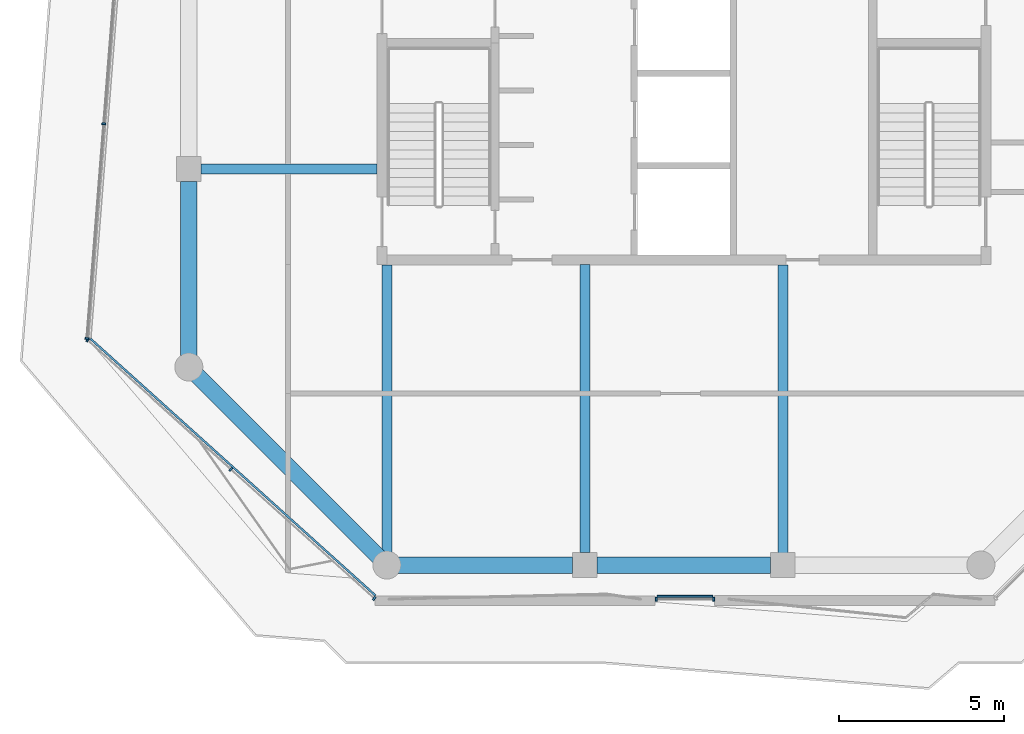
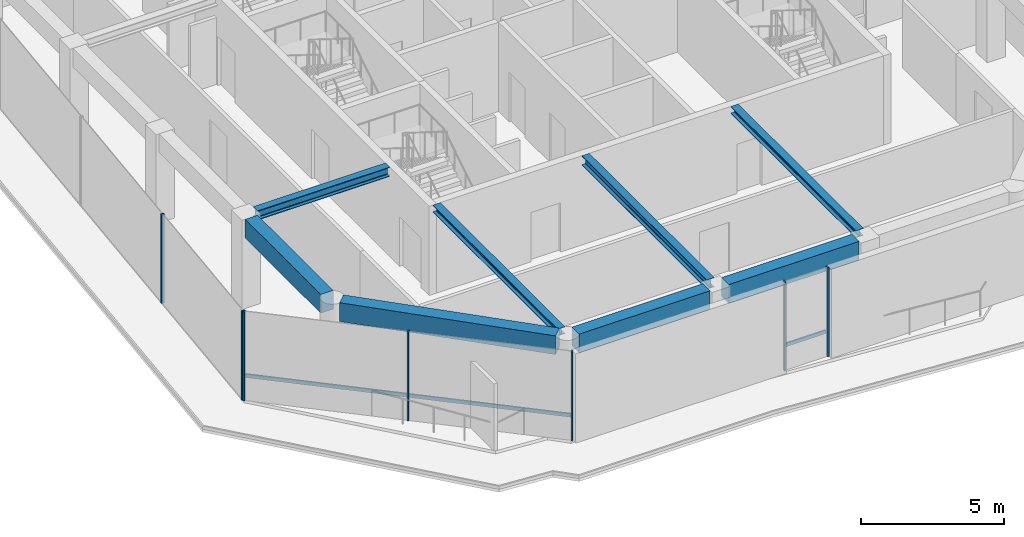
# One storey, part 2 of 22: 9 members, 8 beams, 3 elements without a shape of their own.
"""IFC4 building model written with IfcOpenShell, lengths in metres."""

from ifc_helpers import new_model, si_unit, direction, frame, origin, origin_2d, place, context, subcontext, project, spatial, rectangle, i_section, extrude, material, layer, layer_set, material_profile, profile_set, type_object, element, aggregate, save


model = new_model("IFC4")

# Units and contexts
model_context = context("Model", 3, precision=1e-05, world=origin(), true_north=direction((0.0, 1.0)))
body_context = subcontext(model_context, "Body", "Model", "MODEL_VIEW")
ifc_project = project(units=[si_unit("LENGTHUNIT", "METRE"), si_unit("AREAUNIT", "SQUARE_METRE"), si_unit("VOLUMEUNIT", "CUBIC_METRE"), si_unit("PLANEANGLEUNIT", "RADIAN"), si_unit("MASSUNIT", "GRAM", prefix="KILO")], contexts=[model_context])

# Site, building, storey
site_placement = place(None, origin())
site = spatial("IfcSite", under=ifc_project, at=site_placement, CompositionType="ELEMENT")
building_placement = place(site_placement, origin())
building = spatial("IfcBuilding", under=site, at=building_placement, Name="Welwitschia Terrace Campus", CompositionType="ELEMENT")
storey_placement = place(building_placement, frame((0.0, 0.0, 268.39990234375)))
storey = spatial("IfcBuildingStorey", under=building, at=storey_placement, Name="L59", CompositionType="ELEMENT", Elevation=268.39990234375)

# Beams
ifc_material_1 = material(Name="Steel S355", Category="steel")
ifc_material_profile_1 = material_profile(ifc_material_1, i_section(OverallWidth=0.300048828125, OverallDepth=0.300048828125, WebThickness=0.010986328125, FlangeThickness=0.01904296875, FilletRadius=0.027099609375, at=origin_2d()))
ifc_profile_set_1 = profile_set([ifc_material_profile_1], Name="Steel S355")
beam_type_1 = type_object("IfcBeamType", Name="Interior girder HE 300 B", PredefinedType="BEAM", material=ifc_profile_set_1)
beam_1_placement = place(storey_placement, frame((6.0, -3.611572265625, 3.650146484375), z_axis=(0.0, 1.0, 0.0), x_axis=(-1.0, 0.0, 0.0)))
element("IfcBeam", 1, at=beam_1_placement, inside=storey, type_object=beam_type_1, Name="Girder GB6", PredefinedType="BEAM", context=body_context, shape_type="SweptSolid", body=[
    extrude(i_section(OverallWidth=0.300048828125, OverallDepth=0.300048828125, WebThickness=0.010986328125, FlangeThickness=0.01904296875, FilletRadius=0.027099609375, at=origin_2d()), origin(), (0.0, 0.0, 1.0), 8.710693359375),
])
beam_2_placement = place(storey_placement, frame((18.0, -3.634521484375, 3.650146484375), z_axis=(0.0, 1.0, 0.0), x_axis=(-1.0, 0.0, 0.0)))
element("IfcBeam", 2, at=beam_2_placement, inside=storey, type_object=beam_type_1, Name="Girder GB6", PredefinedType="BEAM", context=body_context, shape_type="SweptSolid", body=[
    extrude(i_section(OverallWidth=0.300048828125, OverallDepth=0.300048828125, WebThickness=0.010986328125, FlangeThickness=0.01904296875, FilletRadius=0.027099609375, at=origin_2d()), origin(), (0.0, 0.0, 1.0), 8.733642578125),
])

# Curtain wall, members
ifc_material_2 = material(Name="Bronze anodised aluminium", Category="aluminium")
ifc_layer = layer(ifc_material_2, 0.1201171875)
ifc_layer_set = layer_set([ifc_layer], Name="Bronze anodised aluminium")
curtain_wall_type = type_object("IfcCurtainWallType", Name="Curtain wall CW2 tower 6000", PredefinedType="NOTDEFINED", material=ifc_layer_set)
curtain_wall_1_placement = place(storey_placement, origin())
curtain_wall_1 = element("IfcCurtainWall", 3, at=curtain_wall_1_placement, inside=storey, type_object=curtain_wall_type, Name="CW L59.1.0", PredefinedType="NOTDEFINED")
ifc_material_3 = material(Name="Bronze anodised aluminium", Category="aluminium")
ifc_material_profile_2 = material_profile(ifc_material_3, rectangle(XDim=0.1201171875, YDim=0.06005859375, at=origin_2d()))
ifc_profile_set_2 = profile_set([ifc_material_profile_2], Name="Bronze anodised aluminium")
member_type_1 = type_object("IfcMemberType", Name="Mullion 60x120", PredefinedType="MULLION", material=ifc_profile_set_2)
member_1_placement = place(storey_placement, frame((-2.5732421875, 9.369140625, 0.0), z_axis=(0.0, 0.0, 1.0), x_axis=(0.996917333733, -0.078459095728, 0.0)))
member_1 = element("IfcMember", 4, at=member_1_placement, type_object=member_type_1, Name="Mullion L59.1.0.3", PredefinedType="MULLION", context=body_context, shape_type="SweptSolid", body=[
    extrude(rectangle(XDim=0.1201171875, YDim=0.06005859375, at=origin_2d()), origin(), (0.0, 0.0, 1.0), 3.800048828125),
])
member_2_placement = place(storey_placement, frame((-3.085205078125, 2.863037109375, 0.0), z_axis=(0.0, 0.0, 1.0), x_axis=(0.996917333733, -0.078459095728, 0.0)))
member_2 = element("IfcMember", 5, at=member_2_placement, type_object=member_type_1, Name="Mullion L59.1.0.4", PredefinedType="MULLION", context=body_context, shape_type="SweptSolid", body=[
    extrude(rectangle(XDim=0.1201171875, YDim=0.06005859375, at=origin_2d()), origin(), (0.0, 0.0, 1.0), 3.800048828125),
])
aggregate(curtain_wall_1, [member_1, member_2])

curtain_wall_2_placement = place(storey_placement, origin())
curtain_wall_2 = element("IfcCurtainWall", 6, at=curtain_wall_2_placement, inside=storey, type_object=curtain_wall_type, Name="CW L59.2.0", PredefinedType="NOTDEFINED")
member_3_placement = place(storey_placement, frame((-3.0654296875, 2.81298828125, 0.0), z_axis=(0.0, 0.0, 1.0), x_axis=(0.669358579423, 0.742939494275, 0.0)))
member_3 = element("IfcMember", 7, at=member_3_placement, type_object=member_type_1, Name="Mullion L59.2.0.0", PredefinedType="MULLION", context=body_context, shape_type="SweptSolid", body=[
    extrude(rectangle(XDim=0.1201171875, YDim=0.06005859375, at=origin_2d()), origin(), (0.0, 0.0, 1.0), 3.800048828125),
])
member_4_placement = place(storey_placement, frame((1.276123046875, -1.098388671875, 0.0), z_axis=(0.0, 0.0, 1.0), x_axis=(0.669358579423, 0.742939494275, 0.0)))
member_4 = element("IfcMember", 8, at=member_4_placement, type_object=member_type_1, Name="Mullion L59.2.0.1", PredefinedType="MULLION", context=body_context, shape_type="SweptSolid", body=[
    extrude(rectangle(XDim=0.1201171875, YDim=0.06005859375, at=origin_2d()), origin(), (0.0, 0.0, 1.0), 3.800048828125),
])
member_5_placement = place(storey_placement, frame((5.61767578125, -5.010009765625, 0.0), z_axis=(0.0, 0.0, 1.0), x_axis=(0.669358579423, 0.742939494275, 0.0)))
member_5 = element("IfcMember", 9, at=member_5_placement, type_object=member_type_1, Name="Mullion L59.2.0.2", PredefinedType="MULLION", context=body_context, shape_type="SweptSolid", body=[
    extrude(rectangle(XDim=0.1201171875, YDim=0.06005859375, at=origin_2d()), origin(), (0.0, 0.0, 1.0), 3.800048828125),
])

curtain_wall_3_placement = place(storey_placement, origin())
curtain_wall_3 = element("IfcCurtainWall", 10, at=curtain_wall_3_placement, inside=storey, type_object=curtain_wall_type, Name="CW L59.3.S0", PredefinedType="NOTDEFINED")
member_6_placement = place(storey_placement, frame((14.163330078125, -5.030029296875, 0.0), z_axis=(0.0, 0.0, 1.0), x_axis=(0.0, 1.0, 0.0)))
member_6 = element("IfcMember", 11, at=member_6_placement, type_object=member_type_1, Name="Mullion L59.3.S0.0", PredefinedType="MULLION", context=body_context, shape_type="SweptSolid", body=[
    extrude(rectangle(XDim=0.1201171875, YDim=0.06005859375, at=origin_2d()), origin(), (0.0, 0.0, 1.0), 3.800048828125),
])
member_7_placement = place(storey_placement, frame((15.9033203125, -5.030029296875, 0.0), z_axis=(0.0, 0.0, 1.0), x_axis=(0.0, 1.0, 0.0)))
member_7 = element("IfcMember", 12, at=member_7_placement, type_object=member_type_1, Name="Mullion L59.3.S0.1", PredefinedType="MULLION", context=body_context, shape_type="SweptSolid", body=[
    extrude(rectangle(XDim=0.1201171875, YDim=0.06005859375, at=origin_2d()), origin(), (0.0, 0.0, 1.0), 3.800048828125),
])

# Beams
ifc_material_4 = material(Name="Steel S355", Category="steel")
ifc_material_profile_3 = material_profile(ifc_material_4, i_section(OverallWidth=0.300048828125, OverallDepth=0.39990234375, WebThickness=0.013427734375, FlangeThickness=0.02392578125, FilletRadius=0.027099609375, at=origin_2d()))
ifc_profile_set_3 = profile_set([ifc_material_profile_3], Name="Steel S355")
beam_type_2 = type_object("IfcBeamType", Name="Primary beam HE 400 B", PredefinedType="BEAM", material=ifc_profile_set_3)
beam_3_placement = place(storey_placement, frame((12.0, -3.62451171875, 3.60009765625), z_axis=(0.0, 1.0, 0.0), x_axis=(-1.0, 0.0, 0.0)))
element("IfcBeam", 13, at=beam_3_placement, inside=storey, type_object=beam_type_2, Name="Primary beam PB6", PredefinedType="BEAM", context=body_context, shape_type="SweptSolid", body=[
    extrude(i_section(OverallWidth=0.300048828125, OverallDepth=0.39990234375, WebThickness=0.013427734375, FlangeThickness=0.02392578125, FilletRadius=0.027099609375, at=origin_2d()), origin(), (0.0, 0.0, 1.0), 8.724609375),
])
beam_4_placement = place(storey_placement, frame((0.37548828125, 8.0, 3.60009765625), z_axis=(1.0, 0.0, 0.0), x_axis=(0.0, 1.0, 0.0)))
element("IfcBeam", 14, at=beam_4_placement, inside=storey, type_object=beam_type_2, Name="Primary beam PB6", PredefinedType="BEAM", context=body_context, shape_type="SweptSolid", body=[
    extrude(i_section(OverallWidth=0.300048828125, OverallDepth=0.39990234375, WebThickness=0.013427734375, FlangeThickness=0.02392578125, FilletRadius=0.027099609375, at=origin_2d()), origin(), (0.0, 0.0, 1.0), 5.324462890625),
])
ifc_material_5 = material(Name="Concrete C50/60", Category="concrete")
ifc_material_profile_4 = material_profile(ifc_material_5, rectangle(XDim=0.5, YDim=0.800048828125, at=origin_2d()))
ifc_profile_set_4 = profile_set([ifc_material_profile_4], Name="Concrete C50/60")
beam_type_3 = type_object("IfcBeamType", Name="Ring spandrel 500x800", PredefinedType="SPANDREL", material=ifc_profile_set_4)
beam_5_placement = place(storey_placement, frame((0.24365234375, 1.75634765625, 3.400146484375), z_axis=(0.707106781187, -0.707106781187, 0.0), x_axis=(0.707106781187, 0.707106781187, 0.0)))
element("IfcBeam", 15, at=beam_5_placement, inside=storey, type_object=beam_type_3, Name="Spandrel SP4", PredefinedType="SPANDREL", context=body_context, shape_type="SweptSolid", body=[
    extrude(rectangle(XDim=0.5, YDim=0.800048828125, at=origin_2d()), origin(), (0.0, 0.0, 1.0), 7.796142578125),
])
beam_6_placement = place(storey_placement, frame((6.344482421875, -4.0, 3.400146484375), z_axis=(1.0, 0.0, 0.0), x_axis=(0.0, 1.0, 0.0)))
element("IfcBeam", 16, at=beam_6_placement, inside=storey, type_object=beam_type_3, Name="Spandrel SP4", PredefinedType="SPANDREL", context=body_context, shape_type="SweptSolid", body=[
    extrude(rectangle(XDim=0.5, YDim=0.800048828125, at=origin_2d()), origin(), (0.0, 0.0, 1.0), 5.280029296875),
])
beam_7_placement = place(storey_placement, frame((12.37548828125, -4.0, 3.400146484375), z_axis=(1.0, 0.0, 0.0), x_axis=(0.0, 1.0, 0.0)))
element("IfcBeam", 17, at=beam_7_placement, inside=storey, type_object=beam_type_3, Name="Spandrel SP4", PredefinedType="SPANDREL", context=body_context, shape_type="SweptSolid", body=[
    extrude(rectangle(XDim=0.5, YDim=0.800048828125, at=origin_2d()), origin(), (0.0, 0.0, 1.0), 5.2490234375),
])
beam_8_placement = place(storey_placement, frame((0.0, 7.62451171875, 3.400146484375), z_axis=(0.0, -1.0, 0.0), x_axis=(1.0, 0.0, 0.0)))
element("IfcBeam", 18, at=beam_8_placement, inside=storey, type_object=beam_type_3, Name="Spandrel SP4", PredefinedType="SPANDREL", context=body_context, shape_type="SweptSolid", body=[
    extrude(rectangle(XDim=0.5, YDim=0.800048828125, at=origin_2d()), origin(), (0.0, 0.0, 1.0), 5.280029296875),
])

# Member
ifc_material_6 = material(Name="Bronze anodised aluminium", Category="aluminium")
ifc_material_profile_5 = material_profile(ifc_material_6, rectangle(XDim=0.06005859375, YDim=0.14990234375, at=origin_2d()))
ifc_profile_set_5 = profile_set([ifc_material_profile_5], Name="Bronze anodised aluminium")
member_type_2 = type_object("IfcMemberType", Name="Transom 60x150", PredefinedType="USERDEFINED", material=ifc_profile_set_5)
member_8_placement = place(storey_placement, frame((-2.98291015625, 2.85986328125, 1.0), z_axis=(0.742935931134, -0.669362534229, 0.0), x_axis=(0.669362534229, 0.742935931134, 0.0)))
member_8 = element("IfcMember", 19, at=member_8_placement, type_object=member_type_2, Name="Transom L59.2.0", ObjectType="TRANSOM", PredefinedType="USERDEFINED", context=body_context, shape_type="SweptSolid", body=[
    extrude(rectangle(XDim=0.06005859375, YDim=0.14990234375, at=origin_2d()), origin(), (0.0, 0.0, 1.0), 11.62744140625),
])

aggregate(curtain_wall_2, [member_3, member_4, member_5, member_8])

member_9_placement = place(storey_placement, frame((14.193359375, -4.93994140625, 1.0), z_axis=(1.0, 0.0, 0.0), x_axis=(0.0, 1.0, 0.0)))
member_9 = element("IfcMember", 20, at=member_9_placement, type_object=member_type_2, Name="Transom L59.3.S0", ObjectType="TRANSOM", PredefinedType="USERDEFINED", context=body_context, shape_type="SweptSolid", body=[
    extrude(rectangle(XDim=0.06005859375, YDim=0.14990234375, at=origin_2d()), origin(), (0.0, 0.0, 1.0), 1.679931640625),
])

aggregate(curtain_wall_3, [member_6, member_7, member_9])

save(model, "model.ifc")
